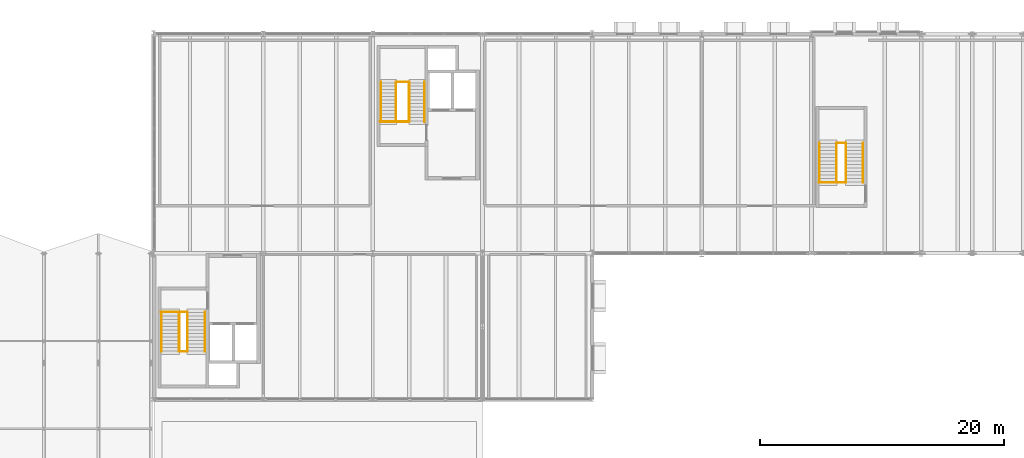
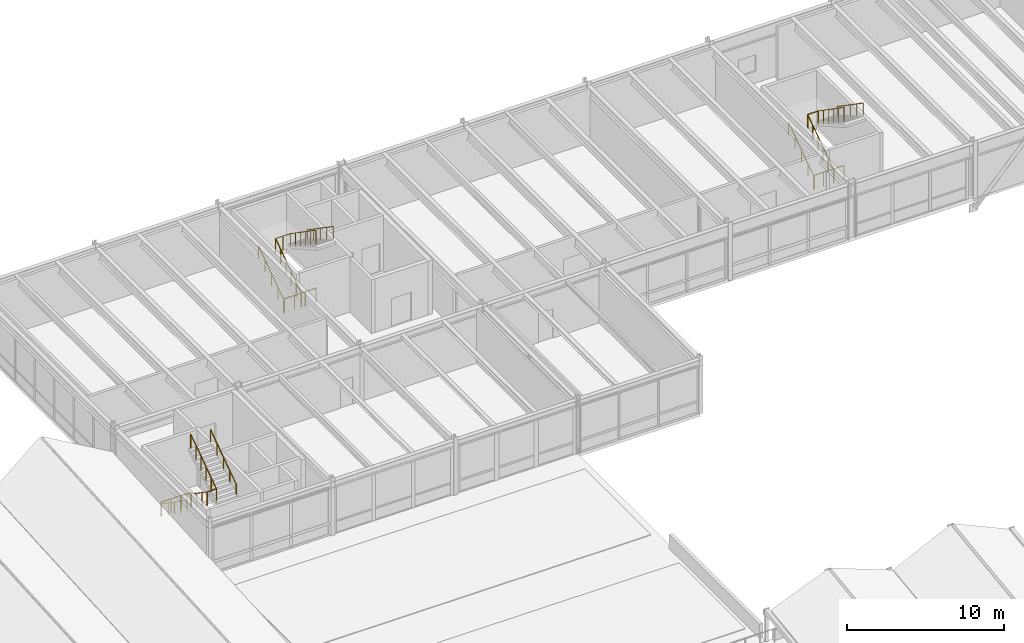
# One storey, part 141 of 142: 18 railings.
"""IFC4 building model written with IfcOpenShell, lengths in metres."""

from ifc_helpers import new_model, si_unit, direction, frame, origin, origin_2d, place, context, subcontext, project, spatial, circle, extrude, material, type_object, element, save


model = new_model("IFC4")

# Units and contexts
model_context = context("Model", 3, precision=1e-05, world=origin(), true_north=direction((0.0, 1.0)))
body_context = subcontext(model_context, "Body", "Model", "MODEL_VIEW")
ifc_project = project(units=[si_unit("LENGTHUNIT", "METRE"), si_unit("AREAUNIT", "SQUARE_METRE"), si_unit("VOLUMEUNIT", "CUBIC_METRE"), si_unit("PLANEANGLEUNIT", "RADIAN"), si_unit("MASSUNIT", "GRAM", prefix="KILO")], contexts=[model_context])

# Site, building, storey
site_placement = place(None, origin())
site = spatial("IfcSite", under=ifc_project, at=site_placement, CompositionType="ELEMENT")
building_placement = place(site_placement, origin())
building = spatial("IfcBuilding", under=site, at=building_placement, Name="Montelvaro Courts of Justice", CompositionType="ELEMENT")
storey_placement = place(building_placement, frame((0.0, 0.0, 14.39990234375)))
storey = spatial("IfcBuildingStorey", under=building, at=storey_placement, Name="L03", CompositionType="ELEMENT", Elevation=14.39990234375)

# Railings
ifc_material_1 = material(Name="Steel S355", Category="steel")
railing_type_1 = type_object("IfcRailingType", Name="InteriorGuard_1100", PredefinedType="BALUSTRADE", material=ifc_material_1)
railing_1_placement = place(storey_placement, frame((117.60009765625, 88.800048828125, 0.0)))
element("IfcRailing", 1, at=railing_1_placement, inside=storey, type_object=railing_type_1, Name="Stair Well Guard GR-02 ST-K3-L02-TLG", PredefinedType="BALUSTRADE", context=body_context, shape_type="SweptSolid", body=[
    extrude(circle(Radius=0.02392578125, at=origin_2d()), frame((0.0, 0.0, 1.076171875), z_axis=(1.0, 0.0, 0.0), x_axis=(0.0, 1.0, 0.0)), (0.0, 0.0, 1.0), 2.389892578125),
    extrude(circle(Radius=0.02099609375, at=origin_2d()), origin(), (0.0, 0.0, 1.0), 1.052001953125),
    extrude(circle(Radius=0.02099609375, at=origin_2d()), frame((0.796630859375, 0.0, 0.0)), (0.0, 0.0, 1.0), 1.052001953125),
    extrude(circle(Radius=0.02099609375, at=origin_2d()), frame((1.59326171875, 0.0, 0.0)), (0.0, 0.0, 1.0), 1.052001953125),
    extrude(circle(Radius=0.02099609375, at=origin_2d()), frame((2.389892578125, 0.0, 0.0)), (0.0, 0.0, 1.0), 1.052001953125),
])
railing_2_placement = place(storey_placement, frame((118.909912109375, 88.800048828125, 0.0)))
element("IfcRailing", 2, at=railing_2_placement, inside=storey, type_object=railing_type_1, Name="Stair Well Guard GR-02 ST-K3-L03-F1G", PredefinedType="BALUSTRADE", context=body_context, shape_type="SweptSolid", body=[
    extrude(circle(Radius=0.02392578125, at=origin_2d()), frame((0.0, 0.0, 1.076171875), z_axis=(0.0, 0.823407228882, 0.567450910146), x_axis=(-1.0, 0.0, 0.0)), (0.0, 0.0, 1.0), 3.965087890625),
    extrude(circle(Radius=0.02099609375, at=origin_2d()), origin(), (0.0, 0.0, 1.0), 1.052001953125),
    extrude(circle(Radius=0.02099609375, at=origin_2d()), frame((0.0, 0.653076171875, 0.449951171875)), (0.0, 0.0, 1.0), 1.052001953125),
    extrude(circle(Radius=0.02099609375, at=origin_2d()), frame((0.0, 1.305908203125, 0.89990234375)), (0.0, 0.0, 1.0), 1.052001953125),
    extrude(circle(Radius=0.02099609375, at=origin_2d()), frame((0.0, 1.958984375, 1.35009765625)), (0.0, 0.0, 1.0), 1.052001953125),
    extrude(circle(Radius=0.02099609375, at=origin_2d()), frame((0.0, 2.61181640625, 1.800048828125)), (0.0, 0.0, 1.0), 1.052001953125),
    extrude(circle(Radius=0.02099609375, at=origin_2d()), frame((0.0, 3.264892578125, 2.25)), (0.0, 0.0, 1.0), 1.052001953125),
])
railing_3_placement = place(storey_placement, frame((119.989990234375, 92.06494140625, 2.25)))
element("IfcRailing", 3, at=railing_3_placement, inside=storey, type_object=railing_type_1, Name="Stair Well Guard GR-02 ST-K3-L03-F2G", PredefinedType="BALUSTRADE", context=body_context, shape_type="SweptSolid", body=[
    extrude(circle(Radius=0.02392578125, at=origin_2d()), frame((0.0, 0.0, 1.076171875), z_axis=(0.0, -0.823407228882, 0.567450910146), x_axis=(1.0, 0.0, 0.0)), (0.0, 0.0, 1.0), 3.965087890625),
    extrude(circle(Radius=0.02099609375, at=origin_2d()), origin(), (0.0, 0.0, 1.0), 1.052001953125),
    extrude(circle(Radius=0.02099609375, at=origin_2d()), frame((0.0, -0.653076171875, 0.449951171875)), (0.0, 0.0, 1.0), 1.052001953125),
    extrude(circle(Radius=0.02099609375, at=origin_2d()), frame((0.0, -1.305908203125, 0.89990234375)), (0.0, 0.0, 1.0), 1.052001953125),
    extrude(circle(Radius=0.02099609375, at=origin_2d()), frame((0.0, -1.958984375, 1.35009765625)), (0.0, 0.0, 1.0), 1.052001953125),
    extrude(circle(Radius=0.02099609375, at=origin_2d()), frame((0.0, -2.61181640625, 1.800048828125)), (0.0, 0.0, 1.0), 1.052001953125),
    extrude(circle(Radius=0.02099609375, at=origin_2d()), frame((0.0, -3.264892578125, 2.25)), (0.0, 0.0, 1.0), 1.052001953125),
])
railing_4_placement = place(storey_placement, frame((118.909912109375, 92.06494140625, 2.25)))
element("IfcRailing", 4, at=railing_4_placement, inside=storey, type_object=railing_type_1, Name="Stair Well Guard GR-02 ST-K3-L03-MLG", PredefinedType="BALUSTRADE", context=body_context, shape_type="SweptSolid", body=[
    extrude(circle(Radius=0.02392578125, at=origin_2d()), frame((0.0, 0.0, 1.076171875), z_axis=(1.0, 0.0, 0.0), x_axis=(0.0, 1.0, 0.0)), (0.0, 0.0, 1.0), 1.080078125),
    extrude(circle(Radius=0.02099609375, at=origin_2d()), origin(), (0.0, 0.0, 1.0), 1.052001953125),
    extrude(circle(Radius=0.02099609375, at=origin_2d()), frame((0.5400390625, 0.0, 0.0)), (0.0, 0.0, 1.0), 1.052001953125),
    extrude(circle(Radius=0.02099609375, at=origin_2d()), frame((1.080078125, 0.0, 0.0)), (0.0, 0.0, 1.0), 1.052001953125),
])
railing_5_placement = place(storey_placement, frame((99.60009765625, 73.199951171875, 0.0)))
element("IfcRailing", 5, at=railing_5_placement, inside=storey, type_object=railing_type_1, Name="Stair Well Guard GR-02 ST-K4-L02-TLG", PredefinedType="BALUSTRADE", context=body_context, shape_type="SweptSolid", body=[
    extrude(circle(Radius=0.02392578125, at=origin_2d()), frame((0.0, 0.0, 1.076171875), z_axis=(1.0, 0.0, 0.0), x_axis=(0.0, 1.0, 0.0)), (0.0, 0.0, 1.0), 2.18994140625),
    extrude(circle(Radius=0.02099609375, at=origin_2d()), origin(), (0.0, 0.0, 1.0), 1.052001953125),
    extrude(circle(Radius=0.02099609375, at=origin_2d()), frame((0.72998046875, 0.0, 0.0)), (0.0, 0.0, 1.0), 1.052001953125),
    extrude(circle(Radius=0.02099609375, at=origin_2d()), frame((1.4599609375, 0.0, 0.0)), (0.0, 0.0, 1.0), 1.052001953125),
    extrude(circle(Radius=0.02099609375, at=origin_2d()), frame((2.18994140625, 0.0, 0.0)), (0.0, 0.0, 1.0), 1.052001953125),
])
railing_6_placement = place(storey_placement, frame((101.110107421875, 73.199951171875, 0.0)))
element("IfcRailing", 6, at=railing_6_placement, inside=storey, type_object=railing_type_1, Name="Stair Well Guard GR-02 ST-K4-L03-F1G", PredefinedType="BALUSTRADE", context=body_context, shape_type="SweptSolid", body=[
    extrude(circle(Radius=0.02392578125, at=origin_2d()), frame((0.0, 0.0, 1.076171875), z_axis=(0.0, -0.823407228882, 0.567450910146), x_axis=(1.0, 0.0, 0.0)), (0.0, 0.0, 1.0), 3.965087890625),
    extrude(circle(Radius=0.02099609375, at=origin_2d()), origin(), (0.0, 0.0, 1.0), 1.052001953125),
    extrude(circle(Radius=0.02099609375, at=origin_2d()), frame((0.0, -0.653076171875, 0.449951171875)), (0.0, 0.0, 1.0), 1.052001953125),
    extrude(circle(Radius=0.02099609375, at=origin_2d()), frame((0.0, -1.305908203125, 0.89990234375)), (0.0, 0.0, 1.0), 1.052001953125),
    extrude(circle(Radius=0.02099609375, at=origin_2d()), frame((0.0, -1.958984375, 1.35009765625)), (0.0, 0.0, 1.0), 1.052001953125),
    extrude(circle(Radius=0.02099609375, at=origin_2d()), frame((0.0, -2.61181640625, 1.800048828125)), (0.0, 0.0, 1.0), 1.052001953125),
    extrude(circle(Radius=0.02099609375, at=origin_2d()), frame((0.0, -3.264892578125, 2.25)), (0.0, 0.0, 1.0), 1.052001953125),
])
railing_7_placement = place(storey_placement, frame((101.7900390625, 69.93505859375, 2.25)))
element("IfcRailing", 7, at=railing_7_placement, inside=storey, type_object=railing_type_1, Name="Stair Well Guard GR-02 ST-K4-L03-F2G", PredefinedType="BALUSTRADE", context=body_context, shape_type="SweptSolid", body=[
    extrude(circle(Radius=0.02392578125, at=origin_2d()), frame((0.0, 0.0, 1.076171875), z_axis=(0.0, 0.823407228882, 0.567450910146), x_axis=(-1.0, 0.0, 0.0)), (0.0, 0.0, 1.0), 3.965087890625),
    extrude(circle(Radius=0.02099609375, at=origin_2d()), origin(), (0.0, 0.0, 1.0), 1.052001953125),
    extrude(circle(Radius=0.02099609375, at=origin_2d()), frame((0.0, 0.653076171875, 0.449951171875)), (0.0, 0.0, 1.0), 1.052001953125),
    extrude(circle(Radius=0.02099609375, at=origin_2d()), frame((0.0, 1.305908203125, 0.89990234375)), (0.0, 0.0, 1.0), 1.052001953125),
    extrude(circle(Radius=0.02099609375, at=origin_2d()), frame((0.0, 1.958984375, 1.35009765625)), (0.0, 0.0, 1.0), 1.052001953125),
    extrude(circle(Radius=0.02099609375, at=origin_2d()), frame((0.0, 2.61181640625, 1.800048828125)), (0.0, 0.0, 1.0), 1.052001953125),
    extrude(circle(Radius=0.02099609375, at=origin_2d()), frame((0.0, 3.264892578125, 2.25)), (0.0, 0.0, 1.0), 1.052001953125),
])
railing_8_placement = place(storey_placement, frame((101.110107421875, 69.93505859375, 2.25)))
element("IfcRailing", 8, at=railing_8_placement, inside=storey, type_object=railing_type_1, Name="Stair Well Guard GR-02 ST-K4-L03-MLG", PredefinedType="BALUSTRADE", context=body_context, shape_type="SweptSolid", body=[
    extrude(circle(Radius=0.02392578125, at=origin_2d()), frame((0.0, 0.0, 1.076171875), z_axis=(1.0, 0.0, 0.0), x_axis=(0.0, 1.0, 0.0)), (0.0, 0.0, 1.0), 0.679931640625),
    extrude(circle(Radius=0.02099609375, at=origin_2d()), origin(), (0.0, 0.0, 1.0), 1.052001953125),
    extrude(circle(Radius=0.02099609375, at=origin_2d()), frame((0.679931640625, 0.0, 0.0)), (0.0, 0.0, 1.0), 1.052001953125),
])
railing_9_placement = place(storey_placement, frame((153.60009765625, 83.800048828125, 0.0)))
element("IfcRailing", 9, at=railing_9_placement, inside=storey, type_object=railing_type_1, Name="Stair Well Guard GR-02 ST-V2-L02-TLG", PredefinedType="BALUSTRADE", context=body_context, shape_type="SweptSolid", body=[
    extrude(circle(Radius=0.02392578125, at=origin_2d()), frame((0.0, 0.0, 1.076171875), z_axis=(1.0, 0.0, 0.0), x_axis=(0.0, 1.0, 0.0)), (0.0, 0.0, 1.0), 2.239990234375),
    extrude(circle(Radius=0.02099609375, at=origin_2d()), origin(), (0.0, 0.0, 1.0), 1.052001953125),
    extrude(circle(Radius=0.02099609375, at=origin_2d()), frame((0.74658203125, 0.0, 0.0)), (0.0, 0.0, 1.0), 1.052001953125),
    extrude(circle(Radius=0.02099609375, at=origin_2d()), frame((1.493408203125, 0.0, 0.0)), (0.0, 0.0, 1.0), 1.052001953125),
    extrude(circle(Radius=0.02099609375, at=origin_2d()), frame((2.239990234375, 0.0, 0.0)), (0.0, 0.0, 1.0), 1.052001953125),
])
railing_10_placement = place(storey_placement, frame((155.06005859375, 83.800048828125, 0.0)))
element("IfcRailing", 10, at=railing_10_placement, inside=storey, type_object=railing_type_1, Name="Stair Well Guard GR-02 ST-V2-L03-F1G", PredefinedType="BALUSTRADE", context=body_context, shape_type="SweptSolid", body=[
    extrude(circle(Radius=0.02392578125, at=origin_2d()), frame((0.0, 0.0, 1.076171875), z_axis=(0.0, 0.823407228882, 0.567450910146), x_axis=(-1.0, 0.0, 0.0)), (0.0, 0.0, 1.0), 3.965087890625),
    extrude(circle(Radius=0.02099609375, at=origin_2d()), origin(), (0.0, 0.0, 1.0), 1.052001953125),
    extrude(circle(Radius=0.02099609375, at=origin_2d()), frame((0.0, 0.653076171875, 0.449951171875)), (0.0, 0.0, 1.0), 1.052001953125),
    extrude(circle(Radius=0.02099609375, at=origin_2d()), frame((0.0, 1.305908203125, 0.89990234375)), (0.0, 0.0, 1.0), 1.052001953125),
    extrude(circle(Radius=0.02099609375, at=origin_2d()), frame((0.0, 1.958984375, 1.35009765625)), (0.0, 0.0, 1.0), 1.052001953125),
    extrude(circle(Radius=0.02099609375, at=origin_2d()), frame((0.0, 2.61181640625, 1.800048828125)), (0.0, 0.0, 1.0), 1.052001953125),
    extrude(circle(Radius=0.02099609375, at=origin_2d()), frame((0.0, 3.264892578125, 2.25)), (0.0, 0.0, 1.0), 1.052001953125),
])
railing_11_placement = place(storey_placement, frame((155.840087890625, 87.06494140625, 2.25)))
element("IfcRailing", 11, at=railing_11_placement, inside=storey, type_object=railing_type_1, Name="Stair Well Guard GR-02 ST-V2-L03-F2G", PredefinedType="BALUSTRADE", context=body_context, shape_type="SweptSolid", body=[
    extrude(circle(Radius=0.02392578125, at=origin_2d()), frame((0.0, 0.0, 1.076171875), z_axis=(0.0, -0.823407228882, 0.567450910146), x_axis=(1.0, 0.0, 0.0)), (0.0, 0.0, 1.0), 3.965087890625),
    extrude(circle(Radius=0.02099609375, at=origin_2d()), origin(), (0.0, 0.0, 1.0), 1.052001953125),
    extrude(circle(Radius=0.02099609375, at=origin_2d()), frame((0.0, -0.653076171875, 0.449951171875)), (0.0, 0.0, 1.0), 1.052001953125),
    extrude(circle(Radius=0.02099609375, at=origin_2d()), frame((0.0, -1.305908203125, 0.89990234375)), (0.0, 0.0, 1.0), 1.052001953125),
    extrude(circle(Radius=0.02099609375, at=origin_2d()), frame((0.0, -1.958984375, 1.35009765625)), (0.0, 0.0, 1.0), 1.052001953125),
    extrude(circle(Radius=0.02099609375, at=origin_2d()), frame((0.0, -2.61181640625, 1.800048828125)), (0.0, 0.0, 1.0), 1.052001953125),
    extrude(circle(Radius=0.02099609375, at=origin_2d()), frame((0.0, -3.264892578125, 2.25)), (0.0, 0.0, 1.0), 1.052001953125),
])
railing_12_placement = place(storey_placement, frame((155.06005859375, 87.06494140625, 2.25)))
element("IfcRailing", 12, at=railing_12_placement, inside=storey, type_object=railing_type_1, Name="Stair Well Guard GR-02 ST-V2-L03-MLG", PredefinedType="BALUSTRADE", context=body_context, shape_type="SweptSolid", body=[
    extrude(circle(Radius=0.02392578125, at=origin_2d()), frame((0.0, 0.0, 1.076171875), z_axis=(1.0, 0.0, 0.0), x_axis=(0.0, 1.0, 0.0)), (0.0, 0.0, 1.0), 0.780029296875),
    extrude(circle(Radius=0.02099609375, at=origin_2d()), origin(), (0.0, 0.0, 1.0), 1.052001953125),
    extrude(circle(Radius=0.02099609375, at=origin_2d()), frame((0.780029296875, 0.0, 0.0)), (0.0, 0.0, 1.0), 1.052001953125),
])
ifc_material_2 = material(Name="Austenitic stainless steel EN 1.4401", Category="steel")
railing_type_2 = type_object("IfcRailingType", Name="StairHandrail_950", PredefinedType="HANDRAIL", material=ifc_material_2)
railing_13_placement = place(storey_placement, frame((117.659912109375, 88.800048828125, 0.0)))
element("IfcRailing", 13, at=railing_13_placement, inside=storey, type_object=railing_type_2, Name="Stair Pitch Handrail HR-01 ST-K3-L03-F1H", PredefinedType="HANDRAIL", context=body_context, shape_type="SweptSolid", body=[
    extrude(circle(Radius=0.02392578125, at=origin_2d()), frame((0.0, 0.0, 0.92578125), z_axis=(0.0, 0.823407228882, 0.567450910146), x_axis=(-1.0, 0.0, 0.0)), (0.0, 0.0, 1.0), 3.965087890625),
    extrude(circle(Radius=0.02099609375, at=origin_2d()), origin(), (0.0, 0.0, 1.0), 0.90185546875),
    extrude(circle(Radius=0.02099609375, at=origin_2d()), frame((0.0, 0.816162109375, 0.5625)), (0.0, 0.0, 1.0), 0.90185546875),
    extrude(circle(Radius=0.02099609375, at=origin_2d()), frame((0.0, 1.63232421875, 1.125)), (0.0, 0.0, 1.0), 0.90185546875),
    extrude(circle(Radius=0.02099609375, at=origin_2d()), frame((0.0, 2.44873046875, 1.6875)), (0.0, 0.0, 1.0), 0.90185546875),
    extrude(circle(Radius=0.02099609375, at=origin_2d()), frame((0.0, 3.264892578125, 2.25)), (0.0, 0.0, 1.0), 0.90185546875),
])
for number, where, name in (
    (14, (121.239990234375, 92.06494140625, 2.25), "Stair Pitch Handrail HR-01 ST-K3-L03-F2H"),
    (15, (99.659912109375, 73.199951171875, 0.0), "Stair Pitch Handrail HR-01 ST-K4-L03-F1H"),
):
    element("IfcRailing", number, at=place(storey_placement, frame(where)), inside=storey, type_object=railing_type_2, Name=name, PredefinedType="HANDRAIL", context=body_context, shape_type="SweptSolid", body=[
        extrude(circle(Radius=0.02392578125, at=origin_2d()), frame((0.0, 0.0, 0.92578125), z_axis=(0.0, -0.823407228882, 0.567450910146), x_axis=(1.0, 0.0, 0.0)), (0.0, 0.0, 1.0), 3.965087890625),
        extrude(circle(Radius=0.02099609375, at=origin_2d()), origin(), (0.0, 0.0, 1.0), 0.90185546875),
        extrude(circle(Radius=0.02099609375, at=origin_2d()), frame((0.0, -0.816162109375, 0.5625)), (0.0, 0.0, 1.0), 0.90185546875),
        extrude(circle(Radius=0.02099609375, at=origin_2d()), frame((0.0, -1.63232421875, 1.125)), (0.0, 0.0, 1.0), 0.90185546875),
        extrude(circle(Radius=0.02099609375, at=origin_2d()), frame((0.0, -2.44873046875, 1.6875)), (0.0, 0.0, 1.0), 0.90185546875),
        extrude(circle(Radius=0.02099609375, at=origin_2d()), frame((0.0, -3.264892578125, 2.25)), (0.0, 0.0, 1.0), 0.90185546875),
    ])
for number, where, name in (
    (16, (103.239990234375, 69.93505859375, 2.25), "Stair Pitch Handrail HR-01 ST-K4-L03-F2H"),
    (17, (153.659912109375, 83.800048828125, 0.0), "Stair Pitch Handrail HR-01 ST-V2-L03-F1H"),
):
    element("IfcRailing", number, at=place(storey_placement, frame(where)), inside=storey, type_object=railing_type_2, Name=name, PredefinedType="HANDRAIL", context=body_context, shape_type="SweptSolid", body=[
        extrude(circle(Radius=0.02392578125, at=origin_2d()), frame((0.0, 0.0, 0.92578125), z_axis=(0.0, 0.823407228882, 0.567450910146), x_axis=(-1.0, 0.0, 0.0)), (0.0, 0.0, 1.0), 3.965087890625),
        extrude(circle(Radius=0.02099609375, at=origin_2d()), origin(), (0.0, 0.0, 1.0), 0.90185546875),
        extrude(circle(Radius=0.02099609375, at=origin_2d()), frame((0.0, 0.816162109375, 0.5625)), (0.0, 0.0, 1.0), 0.90185546875),
        extrude(circle(Radius=0.02099609375, at=origin_2d()), frame((0.0, 1.63232421875, 1.125)), (0.0, 0.0, 1.0), 0.90185546875),
        extrude(circle(Radius=0.02099609375, at=origin_2d()), frame((0.0, 2.44873046875, 1.6875)), (0.0, 0.0, 1.0), 0.90185546875),
        extrude(circle(Radius=0.02099609375, at=origin_2d()), frame((0.0, 3.264892578125, 2.25)), (0.0, 0.0, 1.0), 0.90185546875),
    ])
railing_14_placement = place(storey_placement, frame((157.239990234375, 87.06494140625, 2.25)))
element("IfcRailing", 18, at=railing_14_placement, inside=storey, type_object=railing_type_2, Name="Stair Pitch Handrail HR-01 ST-V2-L03-F2H", PredefinedType="HANDRAIL", context=body_context, shape_type="SweptSolid", body=[
    extrude(circle(Radius=0.02392578125, at=origin_2d()), frame((0.0, 0.0, 0.92578125), z_axis=(0.0, -0.823407228882, 0.567450910146), x_axis=(1.0, 0.0, 0.0)), (0.0, 0.0, 1.0), 3.965087890625),
    extrude(circle(Radius=0.02099609375, at=origin_2d()), origin(), (0.0, 0.0, 1.0), 0.90185546875),
    extrude(circle(Radius=0.02099609375, at=origin_2d()), frame((0.0, -0.816162109375, 0.5625)), (0.0, 0.0, 1.0), 0.90185546875),
    extrude(circle(Radius=0.02099609375, at=origin_2d()), frame((0.0, -1.63232421875, 1.125)), (0.0, 0.0, 1.0), 0.90185546875),
    extrude(circle(Radius=0.02099609375, at=origin_2d()), frame((0.0, -2.44873046875, 1.6875)), (0.0, 0.0, 1.0), 0.90185546875),
    extrude(circle(Radius=0.02099609375, at=origin_2d()), frame((0.0, -3.264892578125, 2.25)), (0.0, 0.0, 1.0), 0.90185546875),
])

save(model, "model.ifc")
